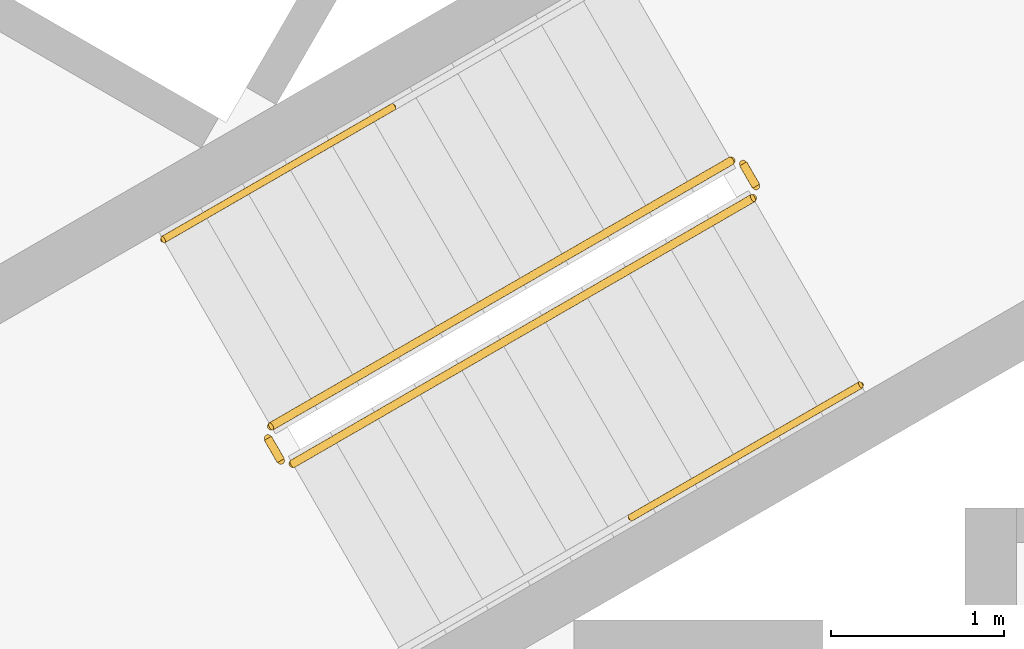
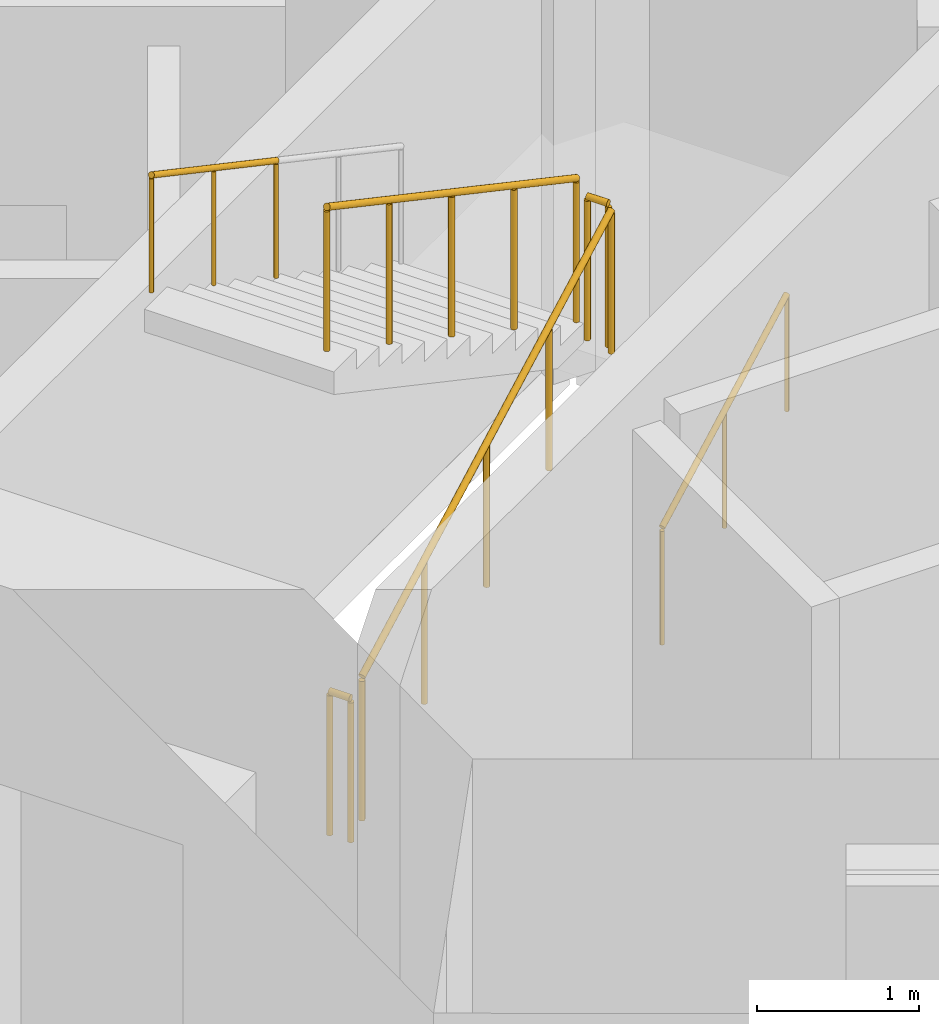
# One storey, part 12 of 17: 6 railings.
"""IFC4 building model written with IfcOpenShell, lengths in metres."""

from ifc_helpers import new_model, si_unit, direction, frame, origin, origin_2d, place, context, subcontext, project, spatial, circle, extrude, material, type_object, element, save


model = new_model("IFC4")

# Units and contexts
model_context = context("Model", 3, precision=1e-05, world=origin(), true_north=direction((0.0, 1.0)))
body_context = subcontext(model_context, "Body", "Model", "MODEL_VIEW")
ifc_project = project(units=[si_unit("LENGTHUNIT", "METRE"), si_unit("AREAUNIT", "SQUARE_METRE"), si_unit("VOLUMEUNIT", "CUBIC_METRE"), si_unit("PLANEANGLEUNIT", "RADIAN"), si_unit("MASSUNIT", "GRAM", prefix="KILO")], contexts=[model_context])

# Site, building, storey
site_placement = place(None, origin())
site = spatial("IfcSite", under=ifc_project, at=site_placement, CompositionType="ELEMENT")
building_placement = place(site_placement, origin())
building = spatial("IfcBuilding", under=site, at=building_placement, Name="Trine Commons Tower", CompositionType="ELEMENT")
storey_placement = place(building_placement, frame((0.0, 0.0, 164.699951171875)))
storey = spatial("IfcBuildingStorey", under=building, at=storey_placement, Name="L42", CompositionType="ELEMENT", Elevation=164.699951171875)

# Railings
ifc_material_1 = material(Name="Stainless steel balustrade", Category="steel")
railing_type_1 = type_object("IfcRailingType", Name="Stair guard, steel balustrade 1100", PredefinedType="GUARDRAIL", material=ifc_material_1)
railing_1_placement = place(storey_placement, frame((74.80517578125, 59.3564453125, 0.150146484375)))
element("IfcRailing", 1, at=railing_1_placement, inside=storey, type_object=railing_type_1, Name="L42 ST2B stair guard 1", PredefinedType="GUARDRAIL", context=body_context, shape_type="SweptSolid", body=[
    extrude(circle(Radius=0.02392578125, at=origin_2d()), frame((0.0, 0.0, 1.076171875), z_axis=(0.76340495495, 0.440743040072, 0.472184759798), x_axis=(-0.499992328818, 0.866029832698, 0.0)), (0.0, 0.0, 1.0), 3.494140625),
    extrude(circle(Radius=0.02099609375, at=origin_2d()), origin(), (0.0, 0.0, 1.0), 1.052001953125),
    extrude(circle(Radius=0.02099609375, at=origin_2d()), frame((0.6669921875, 0.385009765625, 0.41259765625)), (0.0, 0.0, 1.0), 1.052001953125),
    extrude(circle(Radius=0.02099609375, at=origin_2d()), frame((1.333740234375, 0.77001953125, 0.824951171875)), (0.0, 0.0, 1.0), 1.052001953125),
    extrude(circle(Radius=0.02099609375, at=origin_2d()), frame((2.00048828125, 1.155029296875, 1.2373046875)), (0.0, 0.0, 1.0), 1.052001953125),
    extrude(circle(Radius=0.02099609375, at=origin_2d()), frame((2.66748046875, 1.5400390625, 1.64990234375)), (0.0, 0.0, 1.0), 1.052001953125),
])
railing_2_placement = place(storey_placement, frame((77.490966796875, 60.96484375, 1.800048828125)))
element("IfcRailing", 2, at=railing_2_placement, inside=storey, type_object=railing_type_1, Name="L42 ST2B stair guard 2", PredefinedType="GUARDRAIL", context=body_context, shape_type="SweptSolid", body=[
    extrude(circle(Radius=0.02392578125, at=origin_2d()), frame((0.0, 0.0, 1.076171875), z_axis=(-0.501036270542, 0.865426285481, 0.0), x_axis=(-0.865426285481, -0.501036270542, 0.0)), (0.0, 0.0, 1.0), 0.150146484375),
    extrude(circle(Radius=0.02099609375, at=origin_2d()), origin(), (0.0, 0.0, 1.0), 1.052001953125),
    extrude(circle(Radius=0.02099609375, at=origin_2d()), frame((-0.0751953125, 0.1298828125, 0.0)), (0.0, 0.0, 1.0), 1.052001953125),
])
railing_3_placement = place(storey_placement, frame((77.34765625, 61.113037109375, 1.949951171875)))
element("IfcRailing", 3, at=railing_3_placement, inside=storey, type_object=railing_type_1, Name="L42 ST2B stair guard 3", PredefinedType="GUARDRAIL", context=body_context, shape_type="SweptSolid", body=[
    extrude(circle(Radius=0.02392578125, at=origin_2d()), frame((0.0, 0.0, 1.076171875), z_axis=(-0.763379768245, -0.440728498818, 0.472239049384), x_axis=(0.499992328818, -0.866029832698, 0.0)), (0.0, 0.0, 1.0), 3.494384765625),
    extrude(circle(Radius=0.02099609375, at=origin_2d()), origin(), (0.0, 0.0, 1.0), 1.052001953125),
    extrude(circle(Radius=0.02099609375, at=origin_2d()), frame((-0.6669921875, -0.385009765625, 0.41259765625)), (0.0, 0.0, 1.0), 1.052001953125),
    extrude(circle(Radius=0.02099609375, at=origin_2d()), frame((-1.333740234375, -0.77001953125, 0.8251953125)), (0.0, 0.0, 1.0), 1.052001953125),
    extrude(circle(Radius=0.02099609375, at=origin_2d()), frame((-2.00048828125, -1.155029296875, 1.237548828125)), (0.0, 0.0, 1.0), 1.052001953125),
    extrude(circle(Radius=0.02099609375, at=origin_2d()), frame((-2.66748046875, -1.5400390625, 1.650146484375)), (0.0, 0.0, 1.0), 1.052001953125),
])
railing_4_placement = place(storey_placement, frame((74.73681640625, 59.374755859375, 0.0)))
element("IfcRailing", 4, at=railing_4_placement, inside=storey, type_object=railing_type_1, Name="L42 ST2B stair guard 4", PredefinedType="GUARDRAIL", context=body_context, shape_type="SweptSolid", body=[
    extrude(circle(Radius=0.02392578125, at=origin_2d()), frame((0.0, 0.0, 1.076171875), z_axis=(-0.499816412211, 0.866131372301, 0.0), x_axis=(-0.866131372301, -0.499816412211, 0.0)), (0.0, 0.0, 1.0), 0.14990234375),
    extrude(circle(Radius=0.02099609375, at=origin_2d()), origin(), (0.0, 0.0, 1.0), 1.052001953125),
    extrude(circle(Radius=0.02099609375, at=origin_2d()), frame((-0.074951171875, 0.1298828125, 0.0)), (0.0, 0.0, 1.0), 1.052001953125),
])
ifc_material_2 = material(Name="Stainless steel handrail", Category="steel")
railing_type_2 = type_object("IfcRailingType", Name="Stair handrail, steel 900", PredefinedType="HANDRAIL", material=ifc_material_2)
railing_5_placement = place(storey_placement, frame((76.763916015625, 59.0439453125, 0.97509765625)))
element("IfcRailing", 5, at=railing_5_placement, inside=storey, type_object=railing_type_2, Name="L42 ST2B stair handrail 2", PredefinedType="HANDRAIL", context=body_context, shape_type="SweptSolid", body=[
    extrude(circle(Radius=0.02099609375, at=origin_2d()), frame((0.0, 0.0, 0.87890625), z_axis=(0.76340495495, 0.440743040072, 0.472184759798), x_axis=(-0.499992328818, 0.866029832698, 0.0)), (0.0, 0.0, 1.0), 1.7470703125),
    extrude(circle(Radius=0.01513671875, at=origin_2d()), origin(), (0.0, 0.0, 1.0), 0.85791015625),
    extrude(circle(Radius=0.01513671875, at=origin_2d()), frame((0.6669921875, 0.385009765625, 0.41259765625)), (0.0, 0.0, 1.0), 0.85791015625),
    extrude(circle(Radius=0.01513671875, at=origin_2d()), frame((1.333740234375, 0.77001953125, 0.824951171875)), (0.0, 0.0, 1.0), 0.85791015625),
])
railing_6_placement = place(storey_placement, frame((75.388916015625, 61.425537109375, 2.775146484375)))
element("IfcRailing", 6, at=railing_6_placement, inside=storey, type_object=railing_type_2, Name="L42 ST2B stair handrail 4", PredefinedType="HANDRAIL", context=body_context, shape_type="SweptSolid", body=[
    extrude(circle(Radius=0.02099609375, at=origin_2d()), frame((0.0, 0.0, 0.87890625), z_axis=(-0.76340495495, -0.440743040072, 0.472184759798), x_axis=(0.499992328818, -0.866029832698, 0.0)), (0.0, 0.0, 1.0), 1.7470703125),
    extrude(circle(Radius=0.01513671875, at=origin_2d()), origin(), (0.0, 0.0, 1.0), 0.85791015625),
    extrude(circle(Radius=0.01513671875, at=origin_2d()), frame((-0.6669921875, -0.385009765625, 0.41259765625)), (0.0, 0.0, 1.0), 0.85791015625),
    extrude(circle(Radius=0.01513671875, at=origin_2d()), frame((-1.333740234375, -0.77001953125, 0.824951171875)), (0.0, 0.0, 1.0), 0.85791015625),
])

save(model, "model.ifc")
